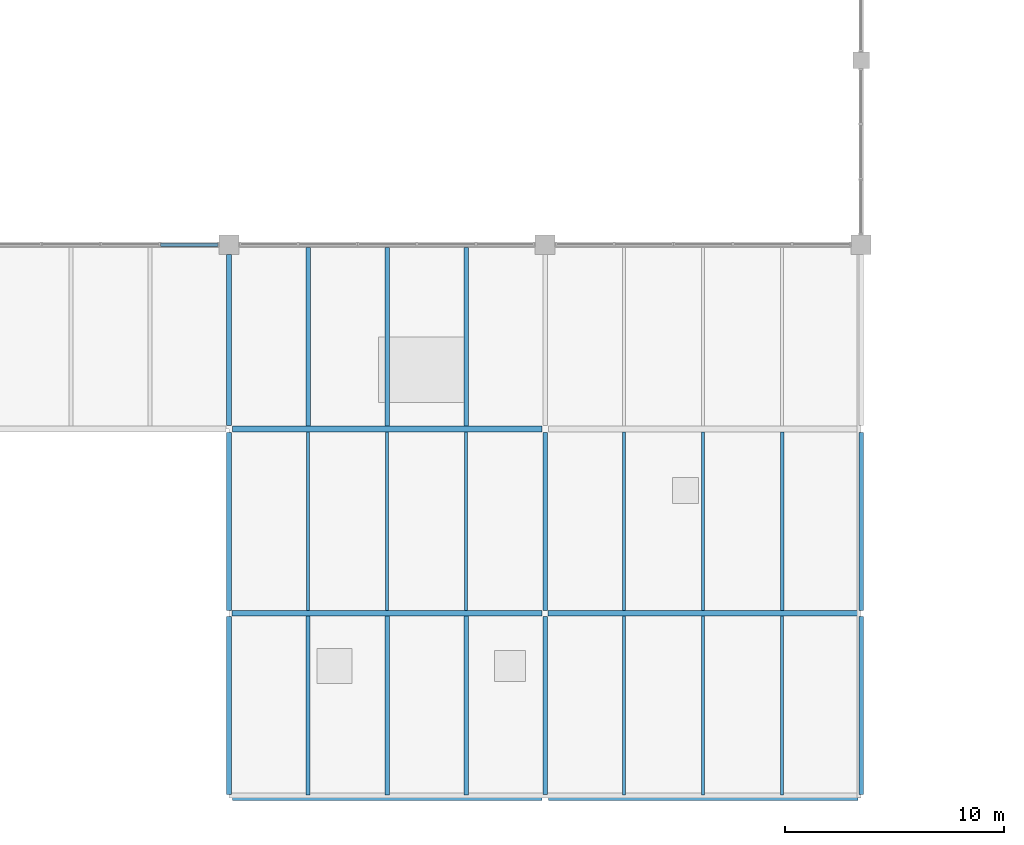
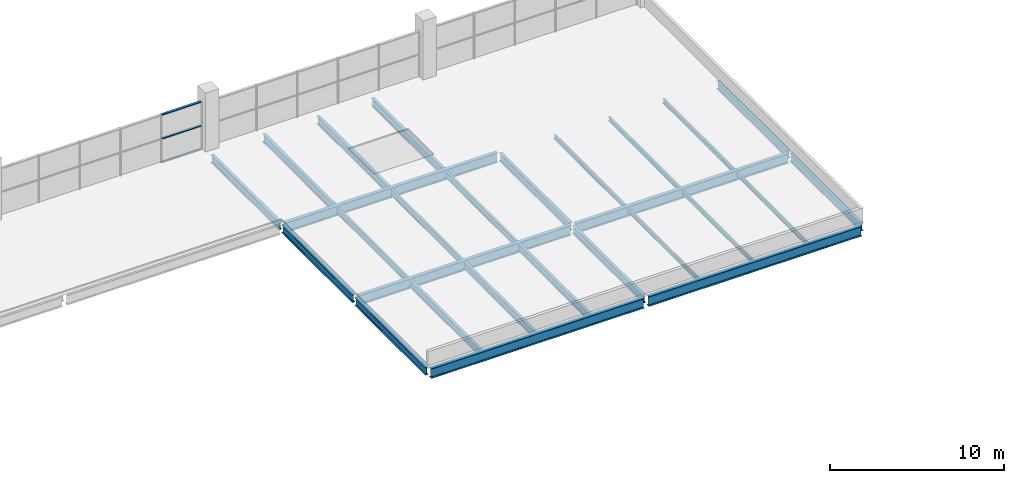
# One storey, part 26 of 93: 27 beams, 3 members, 1 element without a shape of its own.
"""IFC4 building model written with IfcOpenShell, lengths in metres."""

from ifc_helpers import new_model, si_unit, direction, frame, origin, origin_2d, place, context, subcontext, project, spatial, hollow_rectangle, i_section, extrude, material, material_profile, profile_set, type_object, element, aggregate, save


model = new_model("IFC4")

# Units and contexts
model_context = context("Model", 3, precision=1e-05, world=origin(), true_north=direction((0.0, 1.0)))
body_context = subcontext(model_context, "Body", "Model", "MODEL_VIEW")
ifc_project = project(units=[si_unit("LENGTHUNIT", "METRE"), si_unit("AREAUNIT", "SQUARE_METRE"), si_unit("VOLUMEUNIT", "CUBIC_METRE"), si_unit("PLANEANGLEUNIT", "RADIAN"), si_unit("MASSUNIT", "GRAM", prefix="KILO"), si_unit("THERMODYNAMICTEMPERATUREUNIT", "KELVIN")], contexts=[model_context])

# Site, building, storey
site_placement = place(None, origin())
site = spatial("IfcSite", under=ifc_project, at=site_placement, CompositionType="ELEMENT")
building_placement = place(site_placement, origin())
building = spatial("IfcBuilding", under=site, at=building_placement, Name="Nduvali Passage Aquatics Centre", CompositionType="ELEMENT")
storey_placement = place(building_placement, frame((0.0, 0.0, 9.0)))
storey = spatial("IfcBuildingStorey", under=building, at=storey_placement, Name="L02", CompositionType="ELEMENT", Elevation=9.0)

# Curtain wall, members
ifc_material_1 = material(Name="Aluminium EN AW-6063 T6", Category="aluminium")
curtain_wall_type = type_object("IfcCurtainWallType", Name="ENV-CW-CLER", PredefinedType="NOTDEFINED", material=ifc_material_1)
curtain_wall_placement = place(storey_placement, origin())
curtain_wall = element("IfcCurtainWall", 1, at=curtain_wall_placement, inside=storey, type_object=curtain_wall_type, Name="L02 South Pool Hall Eave Clerestory 050", PredefinedType="NOTDEFINED")
ifc_material_profile_1 = material_profile(ifc_material_1, hollow_rectangle(XDim=0.14990234375, YDim=0.06005859375, WallThickness=0.00390625, at=origin_2d()), Name="ALU TRANSOM 150x60x4")
ifc_profile_set_1 = profile_set([ifc_material_profile_1], Name="Aluminium EN AW-6063 T6")
member_type = type_object("IfcMemberType", Name="ENV-MEM-TRN80", PredefinedType="USERDEFINED", material=ifc_profile_set_1)
member_1_placement = place(storey_placement, frame((94.080078125, 25.199951171875, 0.030029296875), z_axis=(1.0, 0.0, 0.0), x_axis=(0.0, 1.0, 0.0)))
member_1 = element("IfcMember", 2, at=member_1_placement, type_object=member_type, Name="South Pool Hall Eave Clerestory Transom B5-R0", ObjectType="TRANSOM", PredefinedType="USERDEFINED", context=body_context, shape_type="SweptSolid", body=[
    extrude(hollow_rectangle(XDim=0.14990234375, YDim=0.06005859375, WallThickness=0.00390625, at=origin_2d()), origin(), (0.0, 0.0, 1.0), 2.60986328125),
])
member_2_placement = place(storey_placement, frame((94.080078125, 25.199951171875, 1.697021484375), z_axis=(1.0, 0.0, 0.0), x_axis=(0.0, 1.0, 0.0)))
member_2 = element("IfcMember", 3, at=member_2_placement, type_object=member_type, Name="South Pool Hall Eave Clerestory Transom B5-R1", ObjectType="TRANSOM", PredefinedType="USERDEFINED", context=body_context, shape_type="SweptSolid", body=[
    extrude(hollow_rectangle(XDim=0.14990234375, YDim=0.06005859375, WallThickness=0.00390625, at=origin_2d()), origin(), (0.0, 0.0, 1.0), 2.60986328125),
])
member_3_placement = place(storey_placement, frame((94.080078125, 25.199951171875, 3.364013671875), z_axis=(1.0, 0.0, 0.0), x_axis=(0.0, 1.0, 0.0)))
member_3 = element("IfcMember", 4, at=member_3_placement, type_object=member_type, Name="South Pool Hall Eave Clerestory Transom B5-R2", ObjectType="TRANSOM", PredefinedType="USERDEFINED", context=body_context, shape_type="SweptSolid", body=[
    extrude(hollow_rectangle(XDim=0.14990234375, YDim=0.06005859375, WallThickness=0.00390625, at=origin_2d()), origin(), (0.0, 0.0, 1.0), 2.60986328125),
])
aggregate(curtain_wall, [member_1, member_2, member_3])

# Beams
ifc_material_2 = material(Name="Steel S355", Category="steel")
ifc_material_profile_2 = material_profile(ifc_material_2, i_section(OverallWidth=0.210693359375, OverallDepth=0.53955078125, WebThickness=0.01171875, FlangeThickness=0.018798828125, FilletRadius=0.0126953125, at=origin_2d()), Name="UKB 533x210x109")
ifc_profile_set_2 = profile_set([ifc_material_profile_2], Name="Steel S355")
beam_type_1 = type_object("IfcBeamType", Name="STR-BM-UKB533", PredefinedType="BEAM", material=ifc_profile_set_2)
beam_1_placement = place(storey_placement, frame((97.199951171875, 0.14990234375, -0.493896484375), z_axis=(0.0, 1.0, 0.0), x_axis=(-1.0, 0.0, 0.0)))
element("IfcBeam", 5, at=beam_1_placement, inside=storey, type_object=beam_type_1, Name="L02 Primary Y-Girder B6-0993", PredefinedType="BEAM", context=body_context, shape_type="SweptSolid", body=[
    extrude(i_section(OverallWidth=0.210693359375, OverallDepth=0.53955078125, WebThickness=0.01171875, FlangeThickness=0.018798828125, FilletRadius=0.0126953125, at=origin_2d()), origin(), (0.0, 0.0, 1.0), 8.110107421875),
])
beam_2_placement = place(storey_placement, frame((97.199951171875, 8.5400390625, -0.493896484375), z_axis=(0.0, 1.0, 0.0), x_axis=(-1.0, 0.0, 0.0)))
element("IfcBeam", 6, at=beam_2_placement, inside=storey, type_object=beam_type_1, Name="L02 Primary Y-Girder B6-0994", PredefinedType="BEAM", context=body_context, shape_type="SweptSolid", body=[
    extrude(i_section(OverallWidth=0.210693359375, OverallDepth=0.53955078125, WebThickness=0.01171875, FlangeThickness=0.018798828125, FilletRadius=0.0126953125, at=origin_2d()), origin(), (0.0, 0.0, 1.0), 8.10986328125),
])
beam_3_placement = place(storey_placement, frame((97.199951171875, 16.949951171875, -0.493896484375), z_axis=(0.0, 1.0, 0.0), x_axis=(-1.0, 0.0, 0.0)))
element("IfcBeam", 7, at=beam_3_placement, inside=storey, type_object=beam_type_1, Name="L02 Primary Y-Girder B6-0995", PredefinedType="BEAM", context=body_context, shape_type="SweptSolid", body=[
    extrude(i_section(OverallWidth=0.210693359375, OverallDepth=0.53955078125, WebThickness=0.01171875, FlangeThickness=0.018798828125, FilletRadius=0.0126953125, at=origin_2d()), origin(), (0.0, 0.0, 1.0), 7.800048828125),
])
beam_4_placement = place(storey_placement, frame((111.60009765625, 0.14990234375, -0.493896484375), z_axis=(0.0, 1.0, 0.0), x_axis=(-1.0, 0.0, 0.0)))
element("IfcBeam", 8, at=beam_4_placement, inside=storey, type_object=beam_type_1, Name="L02 Primary Y-Girder B6-1000", PredefinedType="BEAM", context=body_context, shape_type="SweptSolid", body=[
    extrude(i_section(OverallWidth=0.210693359375, OverallDepth=0.53955078125, WebThickness=0.01171875, FlangeThickness=0.018798828125, FilletRadius=0.0126953125, at=origin_2d()), origin(), (0.0, 0.0, 1.0), 8.110107421875),
])
beam_5_placement = place(storey_placement, frame((111.60009765625, 8.5400390625, -0.493896484375), z_axis=(0.0, 1.0, 0.0), x_axis=(-1.0, 0.0, 0.0)))
element("IfcBeam", 9, at=beam_5_placement, inside=storey, type_object=beam_type_1, Name="L02 Primary Y-Girder B6-1001", PredefinedType="BEAM", context=body_context, shape_type="SweptSolid", body=[
    extrude(i_section(OverallWidth=0.210693359375, OverallDepth=0.53955078125, WebThickness=0.01171875, FlangeThickness=0.018798828125, FilletRadius=0.0126953125, at=origin_2d()), origin(), (0.0, 0.0, 1.0), 8.10986328125),
])
ifc_material_profile_3 = material_profile(ifc_material_2, i_section(OverallWidth=0.210693359375, OverallDepth=0.53955078125, WebThickness=0.01171875, FlangeThickness=0.018798828125, FilletRadius=0.0126953125, at=origin_2d()), Name="UKB 533x210x109")
ifc_profile_set_3 = profile_set([ifc_material_profile_3], Name="Steel S355")
beam_type_2 = type_object("IfcBeamType", Name="STR-BM-UKB533-EXT", PredefinedType="BEAM", material=ifc_profile_set_3)
beam_6_placement = place(storey_placement, frame((126.0, 0.14990234375, -0.493896484375), z_axis=(0.0, 1.0, 0.0), x_axis=(-1.0, 0.0, 0.0)))
element("IfcBeam", 10, at=beam_6_placement, inside=storey, type_object=beam_type_2, Name="L02 Primary Y-Girder B6E-1007", PredefinedType="BEAM", context=body_context, shape_type="SweptSolid", body=[
    extrude(i_section(OverallWidth=0.210693359375, OverallDepth=0.53955078125, WebThickness=0.01171875, FlangeThickness=0.018798828125, FilletRadius=0.0126953125, at=origin_2d()), origin(), (0.0, 0.0, 1.0), 8.110107421875),
])
beam_7_placement = place(storey_placement, frame((126.0, 8.5400390625, -0.493896484375), z_axis=(0.0, 1.0, 0.0), x_axis=(-1.0, 0.0, 0.0)))
element("IfcBeam", 11, at=beam_7_placement, inside=storey, type_object=beam_type_2, Name="L02 Primary Y-Girder B6E-1008", PredefinedType="BEAM", context=body_context, shape_type="SweptSolid", body=[
    extrude(i_section(OverallWidth=0.210693359375, OverallDepth=0.53955078125, WebThickness=0.01171875, FlangeThickness=0.018798828125, FilletRadius=0.0126953125, at=origin_2d()), origin(), (0.0, 0.0, 1.0), 8.10986328125),
])
ifc_material_profile_4 = material_profile(ifc_material_2, i_section(OverallWidth=0.253662109375, OverallDepth=0.68359375, WebThickness=0.012451171875, FlangeThickness=0.01904296875, FilletRadius=0.01513671875, at=origin_2d()), Name="UKB 686x254x140")
ifc_profile_set_4 = profile_set([ifc_material_profile_4], Name="Steel S355")
beam_type_3 = type_object("IfcBeamType", Name="STR-BM-UKB686", PredefinedType="BEAM", material=ifc_profile_set_4)
beam_8_placement = place(storey_placement, frame((97.340087890625, 8.39990234375, -0.565673828125), z_axis=(1.0, 0.0, 0.0), x_axis=(0.0, 1.0, 0.0)))
element("IfcBeam", 12, at=beam_8_placement, inside=storey, type_object=beam_type_3, Name="L02 Primary X-Girder B4-0866", PredefinedType="BEAM", context=body_context, shape_type="SweptSolid", body=[
    extrude(i_section(OverallWidth=0.253662109375, OverallDepth=0.68359375, WebThickness=0.012451171875, FlangeThickness=0.01904296875, FilletRadius=0.01513671875, at=origin_2d()), origin(), (0.0, 0.0, 1.0), 14.119873046875),
])
beam_9_placement = place(storey_placement, frame((111.739990234375, 8.39990234375, -0.565673828125), z_axis=(1.0, 0.0, 0.0), x_axis=(0.0, 1.0, 0.0)))
element("IfcBeam", 13, at=beam_9_placement, inside=storey, type_object=beam_type_3, Name="L02 Primary X-Girder B4-0867", PredefinedType="BEAM", context=body_context, shape_type="SweptSolid", body=[
    extrude(i_section(OverallWidth=0.253662109375, OverallDepth=0.68359375, WebThickness=0.012451171875, FlangeThickness=0.01904296875, FilletRadius=0.01513671875, at=origin_2d()), origin(), (0.0, 0.0, 1.0), 14.1201171875),
])
beam_10_placement = place(storey_placement, frame((97.35009765625, 16.800048828125, -0.565673828125), z_axis=(1.0, 0.0, 0.0), x_axis=(0.0, 1.0, 0.0)))
element("IfcBeam", 14, at=beam_10_placement, inside=storey, type_object=beam_type_3, Name="L02 Primary X-Girder B4-0872", PredefinedType="BEAM", context=body_context, shape_type="SweptSolid", body=[
    extrude(i_section(OverallWidth=0.253662109375, OverallDepth=0.68359375, WebThickness=0.012451171875, FlangeThickness=0.01904296875, FilletRadius=0.01513671875, at=origin_2d()), origin(), (0.0, 0.0, 1.0), 14.099853515625),
])
ifc_material_profile_5 = material_profile(ifc_material_2, i_section(OverallWidth=0.253662109375, OverallDepth=0.68359375, WebThickness=0.012451171875, FlangeThickness=0.01904296875, FilletRadius=0.01513671875, at=origin_2d()), Name="UKB 686x254x140")
ifc_profile_set_5 = profile_set([ifc_material_profile_5], Name="Steel S355")
beam_type_4 = type_object("IfcBeamType", Name="STR-BM-UKB686-EXT", PredefinedType="BEAM", material=ifc_profile_set_5)
beam_11_placement = place(storey_placement, frame((97.35009765625, 0.0, -0.565673828125), z_axis=(1.0, 0.0, 0.0), x_axis=(0.0, 1.0, 0.0)))
element("IfcBeam", 15, at=beam_11_placement, inside=storey, type_object=beam_type_4, Name="L02 Primary X-Girder B4E-0862", PredefinedType="BEAM", context=body_context, shape_type="SweptSolid", body=[
    extrude(i_section(OverallWidth=0.253662109375, OverallDepth=0.68359375, WebThickness=0.012451171875, FlangeThickness=0.01904296875, FilletRadius=0.01513671875, at=origin_2d()), origin(), (0.0, 0.0, 1.0), 14.099853515625),
])
beam_12_placement = place(storey_placement, frame((111.75, 0.0, -0.565673828125), z_axis=(1.0, 0.0, 0.0), x_axis=(0.0, 1.0, 0.0)))
element("IfcBeam", 16, at=beam_12_placement, inside=storey, type_object=beam_type_4, Name="L02 Primary X-Girder B4E-0863", PredefinedType="BEAM", context=body_context, shape_type="SweptSolid", body=[
    extrude(i_section(OverallWidth=0.253662109375, OverallDepth=0.68359375, WebThickness=0.012451171875, FlangeThickness=0.01904296875, FilletRadius=0.01513671875, at=origin_2d()), origin(), (0.0, 0.0, 1.0), 14.10009765625),
])
ifc_material_profile_6 = material_profile(ifc_material_2, i_section(OverallWidth=0.14990234375, OverallDepth=0.300048828125, WebThickness=0.007080078125, FlangeThickness=0.0107421875, FilletRadius=0.014892578125, at=origin_2d()), Name="IPE 300")
ifc_profile_set_6 = profile_set([ifc_material_profile_6], Name="Steel S355")
beam_type_5 = type_object("IfcBeamType", Name="STR-JST-IPE300", PredefinedType="JOIST", material=ifc_profile_set_6)
for number, where, z_axis, x_axis, name in (
    (17, (115.199951171875, 8.52685546875, -0.3740234375), (0.0, 1.0, 0.0), (-1.0, 0.0, 0.0), "L02 Secondary Joist J7-1074"),
    (18, (118.800048828125, 8.52685546875, -0.3740234375), (0.0, 1.0, 0.0), (-1.0, 0.0, 0.0), "L02 Secondary Joist J7-1075"),
    (19, (122.39990234375, 8.52685546875, -0.3740234375), (0.0, 1.0, 0.0), (-1.0, 0.0, 0.0), "L02 Secondary Joist J7-1076"),
):
    element("IfcBeam", number, at=place(storey_placement, frame(where, z_axis=z_axis, x_axis=x_axis)), inside=storey, type_object=beam_type_5, Name=name, PredefinedType="JOIST", context=body_context, shape_type="SweptSolid", body=[
        extrude(i_section(OverallWidth=0.14990234375, OverallDepth=0.300048828125, WebThickness=0.007080078125, FlangeThickness=0.0107421875, FilletRadius=0.014892578125, at=origin_2d()), origin(), (0.0, 0.0, 1.0), 8.146240234375),
    ])
ifc_material_profile_7 = material_profile(ifc_material_2, i_section(OverallWidth=0.199951171875, OverallDepth=0.5, WebThickness=0.01025390625, FlangeThickness=0.01611328125, FilletRadius=0.02099609375, at=origin_2d()), Name="IPE 500")
ifc_profile_set_7 = profile_set([ifc_material_profile_7], Name="Steel S355")
beam_type_6 = type_object("IfcBeamType", Name="STR-JST-IPE500", PredefinedType="JOIST", material=ifc_profile_set_7)
for number, where, z_axis, x_axis, name in (
    (20, (100.800048828125, 0.126708984375, -0.47412109375), (0.0, 1.0, 0.0), (-1.0, 0.0, 0.0), "L02 Secondary Joist J5A-1059"),
    (21, (104.39990234375, 0.126708984375, -0.47412109375), (0.0, 1.0, 0.0), (-1.0, 0.0, 0.0), "L02 Secondary Joist J5A-1060"),
    (22, (108.0, 0.126708984375, -0.47412109375), (0.0, 1.0, 0.0), (-1.0, 0.0, 0.0), "L02 Secondary Joist J5A-1061"),
):
    element("IfcBeam", number, at=place(storey_placement, frame(where, z_axis=z_axis, x_axis=x_axis)), inside=storey, type_object=beam_type_6, Name=name, PredefinedType="JOIST", context=body_context, shape_type="SweptSolid", body=[
        extrude(i_section(OverallWidth=0.199951171875, OverallDepth=0.5, WebThickness=0.01025390625, FlangeThickness=0.01611328125, FilletRadius=0.02099609375, at=origin_2d()), origin(), (0.0, 0.0, 1.0), 8.146484375),
    ])
ifc_material_profile_8 = material_profile(ifc_material_2, i_section(OverallWidth=0.2099609375, OverallDepth=0.550048828125, WebThickness=0.010986328125, FlangeThickness=0.01708984375, FilletRadius=0.02392578125, at=origin_2d()), Name="IPE 550")
ifc_profile_set_8 = profile_set([ifc_material_profile_8], Name="Steel S355")
beam_type_7 = type_object("IfcBeamType", Name="STR-JST-IPE550", PredefinedType="JOIST", material=ifc_profile_set_8)
for number, where, z_axis, x_axis, name in (
    (23, (100.800048828125, 16.9267578125, -0.4990234375), (0.0, 1.0, 0.0), (-1.0, 0.0, 0.0), "L02 Secondary Joist J5C-1089"),
    (24, (104.39990234375, 16.9267578125, -0.4990234375), (0.0, 1.0, 0.0), (-1.0, 0.0, 0.0), "L02 Secondary Joist J5C-1090"),
    (25, (108.0, 16.9267578125, -0.4990234375), (0.0, 1.0, 0.0), (-1.0, 0.0, 0.0), "L02 Secondary Joist J5C-1091"),
):
    element("IfcBeam", number, at=place(storey_placement, frame(where, z_axis=z_axis, x_axis=x_axis)), inside=storey, type_object=beam_type_7, Name=name, PredefinedType="JOIST", context=body_context, shape_type="SweptSolid", body=[
        extrude(i_section(OverallWidth=0.2099609375, OverallDepth=0.550048828125, WebThickness=0.010986328125, FlangeThickness=0.01708984375, FilletRadius=0.02392578125, at=origin_2d()), origin(), (0.0, 0.0, 1.0), 8.146484375),
    ])
ifc_material_profile_9 = material_profile(ifc_material_2, i_section(OverallWidth=0.124267578125, OverallDepth=0.30712890625, WebThickness=0.008056640625, FlangeThickness=0.01220703125, FilletRadius=0.0087890625, at=origin_2d()), Name="UKB 305x127x42")
ifc_profile_set_9 = profile_set([ifc_material_profile_9], Name="Steel S355")
beam_type_8 = type_object("IfcBeamType", Name="STR-JST-UKB305L", PredefinedType="JOIST", material=ifc_profile_set_9)
for number, where, z_axis, x_axis, name in (
    (26, (115.199951171875, 0.126708984375, -0.377685546875), (0.0, 1.0, 0.0), (-1.0, 0.0, 0.0), "L02 Secondary Joist J3A-1062"),
    (27, (118.800048828125, 0.126708984375, -0.377685546875), (0.0, 1.0, 0.0), (-1.0, 0.0, 0.0), "L02 Secondary Joist J3A-1063"),
    (28, (122.39990234375, 0.126708984375, -0.377685546875), (0.0, 1.0, 0.0), (-1.0, 0.0, 0.0), "L02 Secondary Joist J3A-1064"),
):
    element("IfcBeam", number, at=place(storey_placement, frame(where, z_axis=z_axis, x_axis=x_axis)), inside=storey, type_object=beam_type_8, Name=name, PredefinedType="JOIST", context=body_context, shape_type="SweptSolid", body=[
        extrude(i_section(OverallWidth=0.124267578125, OverallDepth=0.30712890625, WebThickness=0.008056640625, FlangeThickness=0.01220703125, FilletRadius=0.0087890625, at=origin_2d()), origin(), (0.0, 0.0, 1.0), 8.146484375),
    ])
ifc_material_profile_10 = material_profile(ifc_material_2, i_section(OverallWidth=0.15283203125, OverallDepth=0.45458984375, WebThickness=0.008056640625, FlangeThickness=0.01318359375, FilletRadius=0.01025390625, at=origin_2d()), Name="UKB 457x152x60")
ifc_profile_set_10 = profile_set([ifc_material_profile_10], Name="Steel S355")
beam_type_9 = type_object("IfcBeamType", Name="STR-JST-UKB457L", PredefinedType="JOIST", material=ifc_profile_set_10)
for number, where, z_axis, x_axis, name in (
    (29, (100.800048828125, 8.52685546875, -0.451416015625), (0.0, 1.0, 0.0), (-1.0, 0.0, 0.0), "L02 Secondary Joist J1A-1071"),
    (30, (104.39990234375, 8.52685546875, -0.451416015625), (0.0, 1.0, 0.0), (-1.0, 0.0, 0.0), "L02 Secondary Joist J1A-1072"),
    (31, (108.0, 8.52685546875, -0.451416015625), (0.0, 1.0, 0.0), (-1.0, 0.0, 0.0), "L02 Secondary Joist J1A-1073"),
):
    element("IfcBeam", number, at=place(storey_placement, frame(where, z_axis=z_axis, x_axis=x_axis)), inside=storey, type_object=beam_type_9, Name=name, PredefinedType="JOIST", context=body_context, shape_type="SweptSolid", body=[
        extrude(i_section(OverallWidth=0.15283203125, OverallDepth=0.45458984375, WebThickness=0.008056640625, FlangeThickness=0.01318359375, FilletRadius=0.01025390625, at=origin_2d()), origin(), (0.0, 0.0, 1.0), 8.146240234375),
    ])

save(model, "model.ifc")
